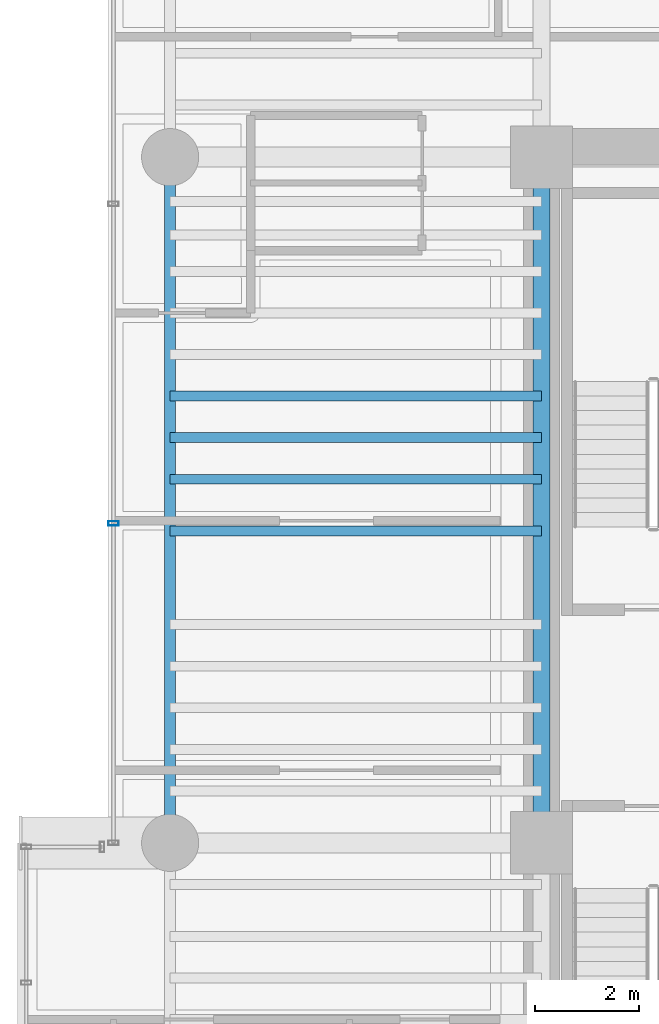
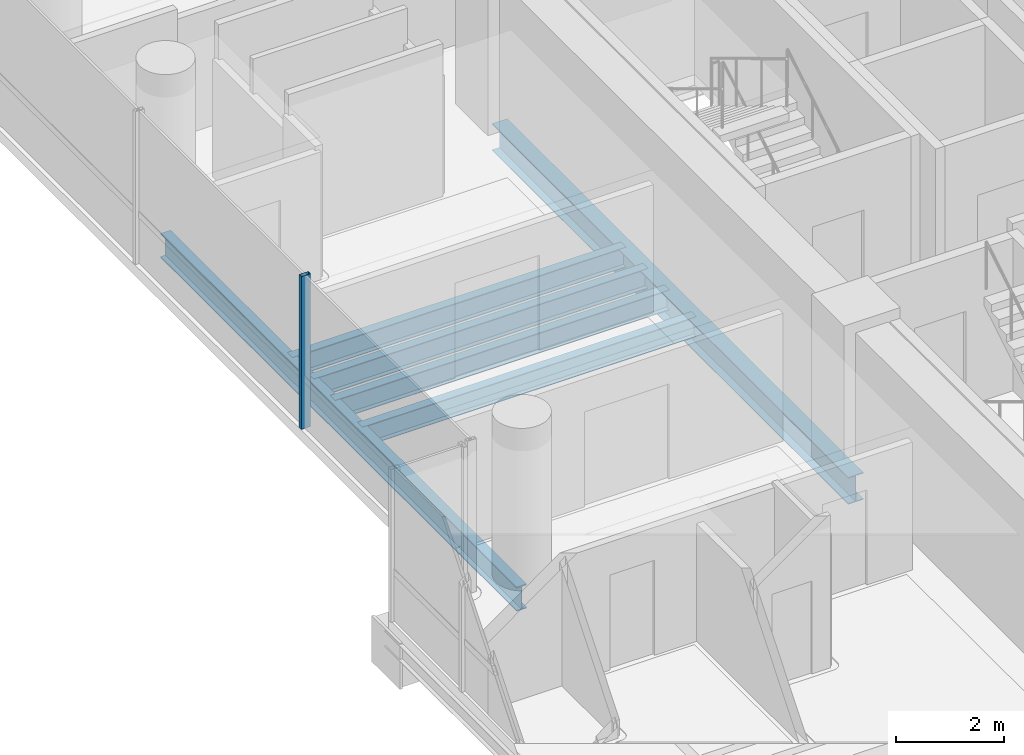
# One storey, part 7 of 37: 6 beams, 1 member, 1 element without a shape of its own.
"""IFC4 building model written with IfcOpenShell, lengths in metres."""

from ifc_helpers import new_model, si_unit, direction, frame, origin, origin_2d, place, context, subcontext, project, spatial, hollow_rectangle, i_section, extrude, source, transform, mapped, material, material_profile, profile_set, type_object, element, aggregate, save


model = new_model("IFC4")

# Units and contexts
model_context = context("Model", 3, precision=1e-05, world=origin(), true_north=direction((0.0, 1.0)))
body_context = subcontext(model_context, "Body", "Model", "MODEL_VIEW")
ifc_project = project(units=[si_unit("LENGTHUNIT", "METRE"), si_unit("AREAUNIT", "SQUARE_METRE"), si_unit("VOLUMEUNIT", "CUBIC_METRE"), si_unit("PLANEANGLEUNIT", "RADIAN"), si_unit("MASSUNIT", "GRAM", prefix="KILO")], contexts=[model_context])

# Site, building, storey
site_placement = place(None, origin())
site = spatial("IfcSite", under=ifc_project, at=site_placement, CompositionType="ELEMENT")
building_placement = place(site_placement, origin())
building = spatial("IfcBuilding", under=site, at=building_placement, Name="Valdorenza Pilgrim Sanctuary Tower", CompositionType="ELEMENT")
storey_placement = place(building_placement, frame((0.0, 0.0, 135.300048828125)))
storey = spatial("IfcBuildingStorey", under=building, at=storey_placement, Name="L34", CompositionType="ELEMENT", Elevation=135.300048828125)

# Beams
ifc_material_1 = material(Name="Steel ASTM A992 Grade 50", Category="steel")
ifc_material_profile_1 = material_profile(ifc_material_1, i_section(OverallWidth=0.214111328125, OverallDepth=0.549072265625, WebThickness=0.0146484375, FlangeThickness=0.023681640625, at=origin_2d()), Name="W21X93")
ifc_profile_set_1 = profile_set([ifc_material_profile_1], Name="Steel ASTM A992 Grade 50")
beam_type_1 = type_object("IfcBeamType", Name="STR-BM-SPN-W21A", PredefinedType="SPANDREL", material=ifc_profile_set_1)
shared_shape_1 = source(origin(), body_context, "Body", "SweptSolid", [
    extrude(i_section(OverallWidth=0.214111328125, OverallDepth=0.549072265625, WebThickness=0.0146484375, FlangeThickness=0.023681640625, at=origin_2d()), origin(), (0.0, 0.0, 1.0), 13.2001953125),
])
beam_1_placement = place(storey_placement, frame((-29.800048828125, -2.60009765625, -0.5146484375), z_axis=(0.0, 1.0, 0.0), x_axis=(-1.0, 0.0, 0.0)))
element("IfcBeam", 1, at=beam_1_placement, inside=storey, type_object=beam_type_1, Name="L34 Spandrel Beam WA-W-M0N1", PredefinedType="SPANDREL", context=body_context, shape_type="MappedRepresentation", body=[
    mapped(shared_shape_1, transform((0.0, 0.0, 0.0), x_axis=(1.0, 0.0, 0.0), y_axis=(0.0, 1.0, 0.0), z_axis=(0.0, 0.0, 1.0), scale=1.0)),
])
ifc_material_profile_2 = material_profile(ifc_material_1, i_section(OverallWidth=0.323974609375, OverallDepth=0.611083984375, WebThickness=0.0126953125, FlangeThickness=0.01904296875, at=origin_2d()), Name="W24X104")
ifc_profile_set_2 = profile_set([ifc_material_profile_2], Name="Steel ASTM A992 Grade 50")
beam_type_2 = type_object("IfcBeamType", Name="STR-BM-GRD-W24B", PredefinedType="BEAM", material=ifc_profile_set_2)
shared_shape_2 = source(origin(), body_context, "Body", "SweptSolid", [
    extrude(i_section(OverallWidth=0.323974609375, OverallDepth=0.611083984375, WebThickness=0.0126953125, FlangeThickness=0.01904296875, at=origin_2d()), origin(), (0.0, 0.0, 1.0), 13.2001953125),
])
beam_2_placement = place(storey_placement, frame((-22.64990234375, -2.60009765625, -0.545654296875), z_axis=(0.0, 1.0, 0.0), x_axis=(-1.0, 0.0, 0.0)))
element("IfcBeam", 2, at=beam_2_placement, inside=storey, type_object=beam_type_2, Name="L34 Core Tie Girder CA-W-M0N1", PredefinedType="BEAM", context=body_context, shape_type="MappedRepresentation", body=[
    mapped(shared_shape_2, transform((0.0, 0.0, 0.0), x_axis=(1.0, 0.0, 0.0), y_axis=(0.0, 1.0, 0.0), z_axis=(0.0, 0.0, 1.0), scale=1.0)),
])
ifc_material_profile_3 = material_profile(ifc_material_1, i_section(OverallWidth=0.19091796875, OverallDepth=0.45703125, WebThickness=0.009033203125, FlangeThickness=0.014404296875, at=origin_2d()), Name="W18X50")
ifc_profile_set_3 = profile_set([ifc_material_profile_3], Name="Steel ASTM A992 Grade 50")
beam_type_3 = type_object("IfcBeamType", Name="STR-BM-JST-W18B", PredefinedType="JOIST", material=ifc_profile_set_3)
shared_shape_3 = source(origin(), body_context, "Body", "SweptSolid", [
    extrude(i_section(OverallWidth=0.19091796875, OverallDepth=0.45703125, WebThickness=0.009033203125, FlangeThickness=0.014404296875, at=origin_2d()), origin(), (0.0, 0.0, 1.0), 7.150146484375),
])
for number, where, z_axis, x_axis, name in (
    (3, (-29.800048828125, 3.39990234375, -0.468505859375), (1.0, 0.0, 0.0), (0.0, 1.0, 0.0), "L34 Composite Floor Joist JST-WA-15"),
    (4, (-29.800048828125, 4.39990234375, -0.468505859375), (1.0, 0.0, 0.0), (0.0, 1.0, 0.0), "L34 Composite Floor Joist JST-WA-16"),
    (5, (-29.800048828125, 5.199951171875, -0.468505859375), (1.0, 0.0, 0.0), (0.0, 1.0, 0.0), "L34 Composite Floor Joist JST-WA-17"),
    (6, (-29.800048828125, 6.0, -0.468505859375), (1.0, 0.0, 0.0), (0.0, 1.0, 0.0), "L34 Composite Floor Joist JST-WA-18"),
):
    element("IfcBeam", number, at=place(storey_placement, frame(where, z_axis=z_axis, x_axis=x_axis)), inside=storey, type_object=beam_type_3, Name=name, PredefinedType="JOIST", context=body_context, shape_type="MappedRepresentation", body=[
        mapped(shared_shape_3, transform((0.0, 0.0, 0.0), x_axis=(1.0, 0.0, 0.0), y_axis=(0.0, 1.0, 0.0), z_axis=(0.0, 0.0, 1.0), scale=1.0)),
    ])

# Curtain wall, member
ifc_material_2 = material(Name="Curtain-wall IGU glazing", Category="glass")
curtain_wall_type = type_object("IfcCurtainWallType", Name="CW-SYS-02", PredefinedType="NOTDEFINED", material=ifc_material_2)
curtain_wall_placement = place(storey_placement, origin())
curtain_wall = element("IfcCurtainWall", 7, at=curtain_wall_placement, inside=storey, type_object=curtain_wall_type, Name="L34 Curtain Wall CW-L34-1-1S2", PredefinedType="NOTDEFINED")
ifc_material_3 = material(Name="Anodised aluminium AW-6060", Category="aluminium")
ifc_material_profile_4 = material_profile(ifc_material_3, hollow_rectangle(XDim=0.0849609375, YDim=0.199951171875, WallThickness=0.0048828125, at=origin_2d()), Name="ALU-M 200x85x5")
ifc_profile_set_4 = profile_set([ifc_material_profile_4], Name="Anodised aluminium AW-6060")
member_type = type_object("IfcMemberType", Name="CW-MUL-02", PredefinedType="MULLION", material=ifc_profile_set_4)
shared_shape_4 = source(origin(), body_context, "Body", "SweptSolid", [
    extrude(hollow_rectangle(XDim=0.0849609375, YDim=0.199951171875, WallThickness=0.0048828125, at=origin_2d()), origin(), (0.0, 0.0, 1.0), 3.4599609375),
])
member_placement = place(storey_placement, frame((-30.889892578125, 3.550048828125, 0.0), z_axis=(0.0, 0.0, 1.0), x_axis=(0.0, 1.0, 0.0)))
member = element("IfcMember", 8, at=member_placement, type_object=member_type, Name="CW-L34-1-1S2 Mullion 2", PredefinedType="MULLION", context=body_context, shape_type="MappedRepresentation", body=[
    mapped(shared_shape_4, transform((0.0, 0.0, 0.0), x_axis=(1.0, 0.0, 0.0), y_axis=(0.0, 1.0, 0.0), z_axis=(0.0, 0.0, 1.0), scale=1.0)),
])
aggregate(curtain_wall, [member])

save(model, "model.ifc")
